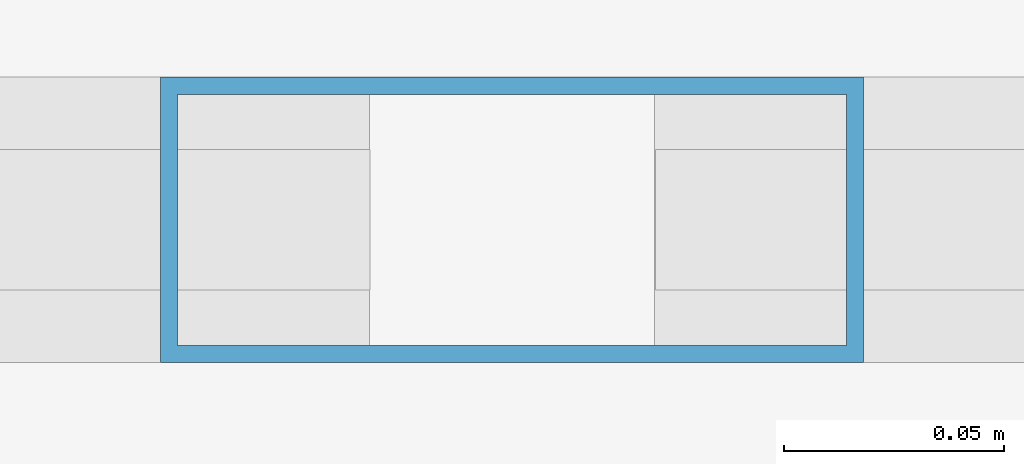
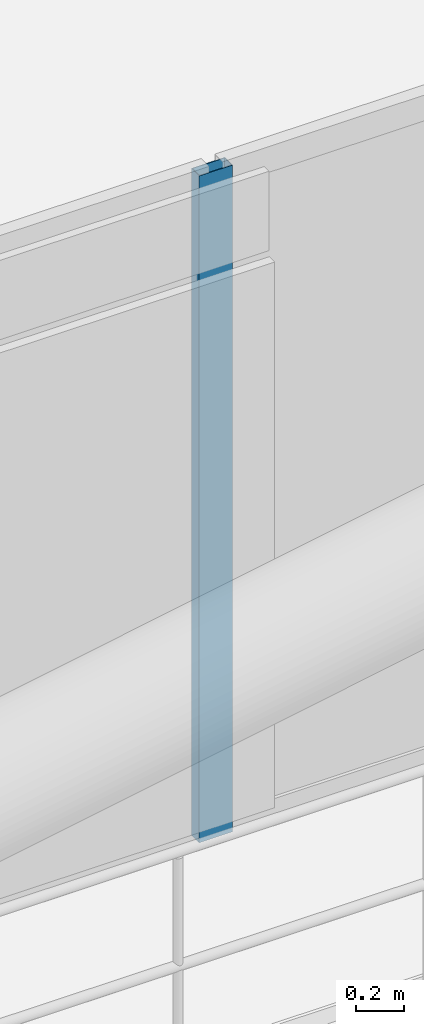
# One storey, part 3 of 34: 1 member, 1 element without a shape of its own.
"""IFC4 building model written with IfcOpenShell, lengths in metres."""

from ifc_helpers import new_model, si_unit, direction, frame, origin, origin_2d, place, context, subcontext, project, spatial, hollow_rectangle, extrude, material, layer, layer_set, material_profile, profile_set, type_object, element, aggregate, save


model = new_model("IFC4")

# Units and contexts
model_context = context("Model", 3, precision=1e-05, world=origin(), true_north=direction((0.0, 1.0)))
body_context = subcontext(model_context, "Body", "Model", "MODEL_VIEW")
ifc_project = project(units=[si_unit("LENGTHUNIT", "METRE"), si_unit("AREAUNIT", "SQUARE_METRE"), si_unit("VOLUMEUNIT", "CUBIC_METRE"), si_unit("PLANEANGLEUNIT", "RADIAN"), si_unit("MASSUNIT", "GRAM", prefix="KILO")], contexts=[model_context])

# Site, building, storey
site_placement = place(None, origin())
site = spatial("IfcSite", under=ifc_project, at=site_placement, CompositionType="ELEMENT")
building_placement = place(site_placement, origin())
building = spatial("IfcBuilding", under=site, at=building_placement, Name="Caelvoria Tower", CompositionType="ELEMENT")
storey_placement = place(building_placement, frame((0.0, 0.0, 28.0)))
storey = spatial("IfcBuildingStorey", under=building, at=storey_placement, Name="L06", CompositionType="ELEMENT", Elevation=28.0)

# Curtain wall, member
ifc_material_1 = material(Name="Anodised Bronze Aluminium and Low-E Glass", Category="aluminium")
ifc_layer = layer(ifc_material_1, 0.18505859375, Name="Anodised Bronze Aluminium and Low-E Glass")
ifc_layer_set = layer_set([ifc_layer], Name="CW System 2 Lower Tower Bronze Unitised Facade - Anodised Bronze Aluminium and Low-E Glass")
curtain_wall_type = type_object("IfcCurtainWallType", Name="CW System 2 Lower Tower Bronze Unitised Facade", PredefinedType="NOTDEFINED", material=ifc_layer_set)
curtain_wall_placement = place(storey_placement, origin())
curtain_wall = element("IfcCurtainWall", 1, at=curtain_wall_placement, inside=storey, type_object=curtain_wall_type, Name="CW-02 Curtain Wall L06-E0", PredefinedType="NOTDEFINED")
ifc_material_2 = material(Name="Anodised Bronze Architectural Aluminium", Category="aluminium")
ifc_material_profile = material_profile(ifc_material_2, hollow_rectangle(XDim=0.06494140625, YDim=0.159912109375, WallThickness=0.00390625, at=origin_2d()), Name="Anodised Bronze Architectural Aluminium")
ifc_profile_set = profile_set([ifc_material_profile], Name="CW_MULL_65X160 - Anodised Bronze Architectural Aluminium")
member_type = type_object("IfcMemberType", Name="Curtain Wall Mullion 65x160 Bronze Aluminium", PredefinedType="MULLION", material=ifc_profile_set)
member_placement = place(storey_placement, frame((35.123046875, 11.3798828125, 0.0), z_axis=(0.0, 0.0, 1.0), x_axis=(0.0, 1.0, 0.0)))
member = element("IfcMember", 2, at=member_placement, type_object=member_type, Name="CW-02 mullion 4", PredefinedType="MULLION", context=body_context, shape_type="SweptSolid", body=[
    extrude(hollow_rectangle(XDim=0.06494140625, YDim=0.159912109375, WallThickness=0.00390625, at=origin_2d()), origin(), (0.0, 0.0, 1.0), 3.360107421875),
])
aggregate(curtain_wall, [member])

save(model, "model.ifc")
